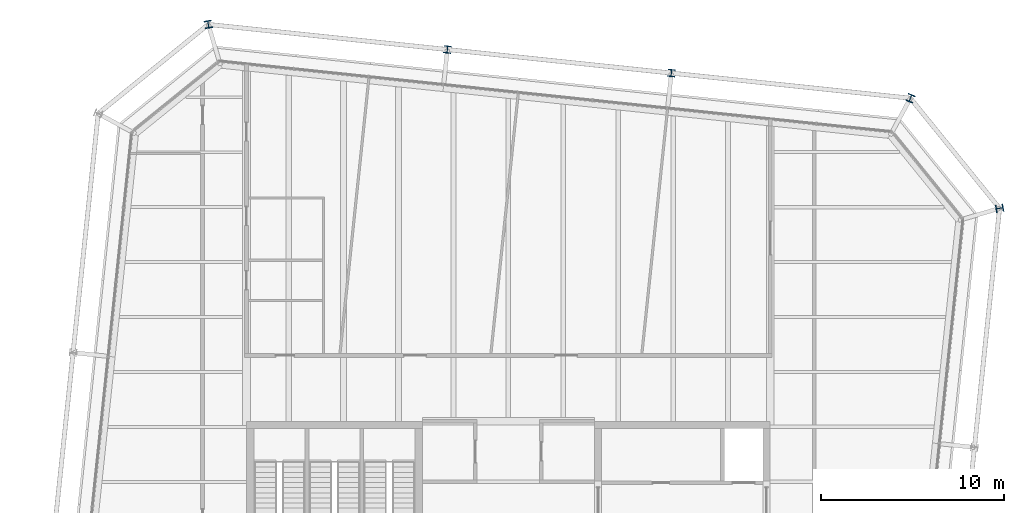
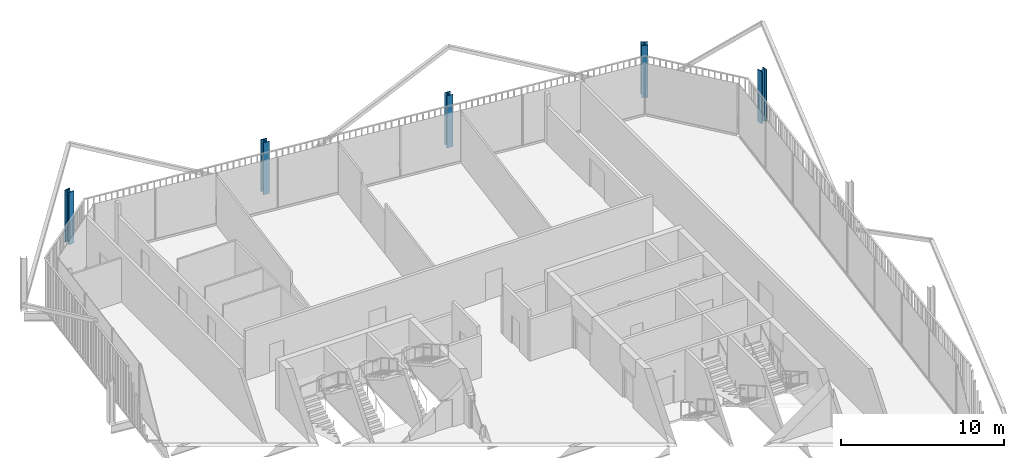
# One storey, part 2 of 21: 5 columns.
"""IFC4 building model written with IfcOpenShell, lengths in metres."""

from ifc_helpers import new_model, si_unit, direction, frame, origin, origin_2d, place, context, subcontext, project, spatial, i_section, extrude, material, material_profile, profile_set, type_object, element, save


model = new_model("IFC4")

# Units and contexts
model_context = context("Model", 3, precision=1e-05, world=origin(), true_north=direction((0.0, 1.0)))
body_context = subcontext(model_context, "Body", "Model", "MODEL_VIEW")
ifc_project = project(units=[si_unit("LENGTHUNIT", "METRE"), si_unit("AREAUNIT", "SQUARE_METRE"), si_unit("VOLUMEUNIT", "CUBIC_METRE"), si_unit("PLANEANGLEUNIT", "RADIAN"), si_unit("MASSUNIT", "GRAM", prefix="KILO")], contexts=[model_context])

# Site, building, storey
site_placement = place(None, origin())
site = spatial("IfcSite", under=ifc_project, at=site_placement, CompositionType="ELEMENT")
building_placement = place(site_placement, origin())
building = spatial("IfcBuilding", under=site, at=building_placement, Name="Millrace Tower", CompositionType="ELEMENT")
storey_placement = place(building_placement, frame((0.0, 0.0, 334.300048828125)))
storey = spatial("IfcBuildingStorey", under=building, at=storey_placement, Name="L77", CompositionType="ELEMENT", Elevation=334.300048828125)

# Columns
ifc_material_1 = material(Name="Steel ASTM A913 Grade 65", Category="steel")
ifc_material_profile_1 = material_profile(ifc_material_1, i_section(OverallWidth=0.4013671875, OverallDepth=0.398681640625, WebThickness=0.02490234375, FlangeThickness=0.03955078125, FilletRadius=0.01513671875, at=origin_2d()))
ifc_profile_set_1 = profile_set([ifc_material_profile_1], Name="Steel ASTM A913 Grade 65")
column_type_1 = type_object("IfcColumnType", Name="Exoskeleton column W14x211", PredefinedType="COLUMN", material=ifc_profile_set_1)
for number, where, z_axis, x_axis, name in (
    (1, (8.9033203125, 28.321533203125, 0.0), (0.0, 0.0, 1.0), (-0.994521897246, 0.104528445407, 0.0), "COL-E-L77-X11"),
    (2, (-3.329345703125, 29.607177734375, 0.0), (0.0, 0.0, 1.0), (-0.994521897246, 0.104528445407, 0.0), "COL-E-L77-X12"),
):
    element("IfcColumn", number, at=place(storey_placement, frame(where, z_axis=z_axis, x_axis=x_axis)), inside=storey, type_object=column_type_1, Name=name, PredefinedType="COLUMN", context=body_context, shape_type="SweptSolid", body=[
        extrude(i_section(OverallWidth=0.4013671875, OverallDepth=0.398681640625, WebThickness=0.02490234375, FlangeThickness=0.03955078125, FilletRadius=0.01513671875, at=origin_2d()), origin(), (0.0, 0.0, 1.0), 3.89990234375),
    ])
ifc_material_2 = material(Name="Steel ASTM A913 Grade 65", Category="steel")
ifc_material_profile_2 = material_profile(ifc_material_2, i_section(OverallWidth=0.406494140625, OverallDepth=0.41650390625, WebThickness=0.030029296875, FlangeThickness=0.048095703125, FilletRadius=0.01513671875, at=origin_2d()))
ifc_profile_set_2 = profile_set([ifc_material_profile_2], Name="Steel ASTM A913 Grade 65")
column_type_2 = type_object("IfcColumnType", Name="Exoskeleton column W14x257", PredefinedType="COLUMN", material=ifc_profile_set_2)
for number, where, z_axis, x_axis, name in (
    (3, (26.82958984375, 20.935791015625, 0.0), (0.0, 0.0, 1.0), (-0.18038747256, 0.983595628164, 0.0), "COL-E-L77-X09"),
    (4, (21.9599609375, 26.94921875, 0.0), (0.0, 0.0, 1.0), (-0.92459700658, 0.380946683176, 0.0), "COL-E-L77-X10"),
    (5, (-16.3857421875, 30.9794921875, 0.0), (0.0, 0.0, 1.0), (-0.983595628164, -0.18038747256, 0.0), "COL-E-L77-X13"),
):
    element("IfcColumn", number, at=place(storey_placement, frame(where, z_axis=z_axis, x_axis=x_axis)), inside=storey, type_object=column_type_2, Name=name, PredefinedType="COLUMN", context=body_context, shape_type="SweptSolid", body=[
        extrude(i_section(OverallWidth=0.406494140625, OverallDepth=0.41650390625, WebThickness=0.030029296875, FlangeThickness=0.048095703125, FilletRadius=0.01513671875, at=origin_2d()), origin(), (0.0, 0.0, 1.0), 3.89990234375),
    ])

save(model, "model.ifc")
